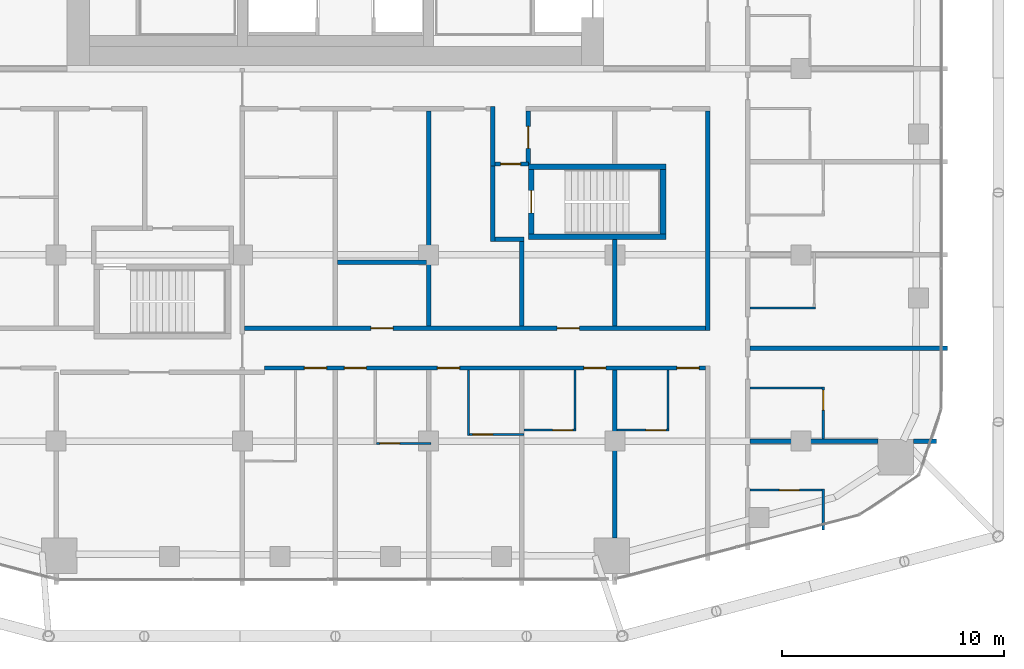
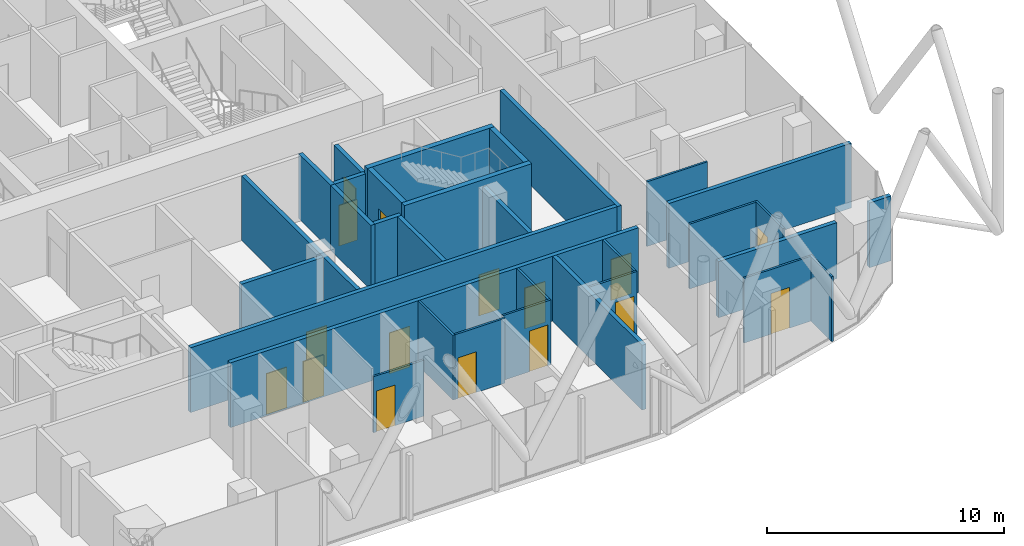
# One storey, part 26 of 33: 32 walls, 16 doors, 16 openings.
"""IFC4 building model written with IfcOpenShell, lengths in metres."""

from ifc_helpers import new_model, si_unit, direction, frame, frame_2d, origin, place, context, subcontext, project, spatial, rectangle, extrude, material, layer, layer_set, type_object, element, fill, save


model = new_model("IFC4")

# Units and contexts
model_context = context("Model", 3, precision=1e-05, world=origin(), true_north=direction((0.0, 1.0)))
body_context = subcontext(model_context, "Body", "Model", "MODEL_VIEW")
ifc_project = project(units=[si_unit("LENGTHUNIT", "METRE"), si_unit("AREAUNIT", "SQUARE_METRE"), si_unit("VOLUMEUNIT", "CUBIC_METRE"), si_unit("PLANEANGLEUNIT", "RADIAN"), si_unit("MASSUNIT", "GRAM", prefix="KILO")], contexts=[model_context])

# Site, building, storey
site_placement = place(None, origin())
site = spatial("IfcSite", under=ifc_project, at=site_placement, CompositionType="ELEMENT")
building_placement = place(site_placement, origin())
building = spatial("IfcBuilding", under=site, at=building_placement, Name="Marenta Gate Hotel Tower", CompositionType="ELEMENT")
storey_placement = place(building_placement, frame((0.0, 0.0, 137.300048828125)))
storey = spatial("IfcBuildingStorey", under=building, at=storey_placement, Name="L31", CompositionType="ELEMENT", Elevation=137.300048828125)

# Walls
ifc_material_1 = material(Name="Concrete C40", Category="concrete")
ifc_layer_1 = layer(ifc_material_1, 0.25)
ifc_layer_set_1 = layer_set([ifc_layer_1], Name="Concrete C40")
wall_type_1 = type_object("IfcWallType", Name="Remote stair enclosure wall 250 REI 180", PredefinedType="SHEAR", material=ifc_layer_set_1)
for number, where, z_axis, x_axis, name in (
    (1, (8.699951171875, -7.574951171875, 0.099853515625), (0.0, 0.0, 1.0), (1.0, 0.0, 0.0), "L31-RS-Z2-2-W1"),
    (2, (8.699951171875, -4.425048828125, 0.099853515625), (0.0, 0.0, 1.0), (1.0, 0.0, 0.0), "L31-RS-Z2-2-W2"),
):
    element("IfcWall", number, at=place(storey_placement, frame(where, z_axis=z_axis, x_axis=x_axis)), inside=storey, type_object=wall_type_1, Name=name, PredefinedType="SHEAR", context=body_context, shape_type="SweptSolid", body=[
        extrude(rectangle(XDim=6.199951171875, YDim=0.25, at=frame_2d((3.10009765625, 0.0))), origin(), (0.0, 0.0, 1.0), 3.60009765625),
    ])

# Wall, opening, door
wall_1_placement = place(storey_placement, frame((8.824951171875, -7.449951171875, 0.099853515625), z_axis=(0.0, 0.0, 1.0), x_axis=(0.0, 1.0, 0.0)))
wall_1 = element("IfcWall", 3, at=wall_1_placement, inside=storey, type_object=wall_type_1, Name="L31-RS-Z2-2-W3", PredefinedType="SHEAR", context=body_context, shape_type="SweptSolid", body=[
    extrude(rectangle(XDim=2.89990234375, YDim=0.25, at=frame_2d((1.449951171875, 0.0))), origin(), (0.0, 0.0, 1.0), 3.60009765625),
])
opening_1_placement = place(wall_1_placement, frame((0.949951171875, 0.0, 0.0)))
opening_1 = element("IfcOpeningElement", 4, at=opening_1_placement, cuts=wall_1, Name="Opening VD", PredefinedType="OPENING", context=body_context, shape_type="SweptSolid", body=[
    extrude(rectangle(XDim=1.0, YDim=2.10009765625, at=frame_2d((0.5, 1.050048828125))), frame((0.0, 0.125, 0.0), z_axis=(0.0, -1.0, 0.0), x_axis=(1.0, 0.0, 0.0)), (0.0, 0.0, 1.0), 0.25),
])
ifc_material_2 = material(Name="Steel", Category="steel")
door_type_1 = type_object("IfcDoorType", Name="Stair vestibule door 1000x2100 FD60", OperationType="SINGLE_SWING_LEFT", PredefinedType="DOOR", material=ifc_material_2)
door_1_placement = place(opening_1_placement, origin())
door_1 = element("IfcDoor", 5, at=door_1_placement, inside=storey, type_object=door_type_1, Name="VD", OperationType="SINGLE_SWING_LEFT", OverallHeight=2.10009765625, OverallWidth=1.0, PredefinedType="DOOR", context=body_context, shape_type="SweptSolid", body=[
    extrude(rectangle(XDim=1.0, YDim=2.10009765625, at=frame_2d((0.5, 1.050048828125))), frame((0.0, 0.02490234375, 0.0), z_axis=(0.0, -1.0, 0.0), x_axis=(1.0, 0.0, 0.0)), (0.0, 0.0, 1.0), 0.050048828125),
])
fill(opening_1, door_1)

# Wall
wall_2_placement = place(storey_placement, frame((14.77490234375, -7.449951171875, 0.099853515625), z_axis=(0.0, 0.0, 1.0), x_axis=(0.0, 1.0, 0.0)))
element("IfcWall", 6, at=wall_2_placement, inside=storey, type_object=wall_type_1, Name="L31-RS-Z2-2-W4", PredefinedType="SHEAR", context=body_context, shape_type="SweptSolid", body=[
    extrude(rectangle(XDim=2.89990234375, YDim=0.25, at=frame_2d((1.449951171875, 0.0))), origin(), (0.0, 0.0, 1.0), 3.60009765625),
])

# Wall, openings, doors
ifc_material_3 = material(Name="Concrete blockwork", Category="masonry")
ifc_layer_2 = layer(ifc_material_3, 0.199951171875)
ifc_layer_set_2 = layer_set([ifc_layer_2], Name="Concrete blockwork")
wall_type_2 = type_object("IfcWallType", Name="Room corridor wall 200 EI 120", PredefinedType="PARTITIONING", material=ifc_layer_set_2)
wall_3_placement = place(storey_placement, frame((-4.10009765625, -11.699951171875, 0.0), z_axis=(0.0, 0.0, 1.0), x_axis=(1.0, 0.0, 0.0)))
wall_3 = element("IfcWall", 7, at=wall_3_placement, inside=storey, type_object=wall_type_2, Name="L31-PTN-W038", PredefinedType="PARTITIONING", context=body_context, shape_type="SweptSolid", body=[
    extrude(rectangle(XDim=20.800048828125, YDim=0.199951171875, at=frame_2d((10.39990234375, 0.0))), origin(), (0.0, 0.0, 1.0), 3.33984375),
])
opening_2_placement = place(wall_3_placement, frame((14.10009765625, 0.0, 0.0)))
opening_2 = element("IfcOpeningElement", 8, at=opening_2_placement, cuts=wall_3, Name="Opening G12-70", PredefinedType="OPENING", context=body_context, shape_type="SweptSolid", body=[
    extrude(rectangle(XDim=1.0, YDim=2.10009765625, at=frame_2d((0.5, 1.050048828125))), frame((0.0, 0.10009765625, 0.0), z_axis=(0.0, -1.0, 0.0), x_axis=(1.0, 0.0, 0.0)), (0.0, 0.0, 1.0), 0.199951171875),
])
opening_3_placement = place(wall_3_placement, frame((5.699951171875, 0.0, 0.0)))
opening_3 = element("IfcOpeningElement", 9, at=opening_3_placement, cuts=wall_3, Name="Opening G12-72", PredefinedType="OPENING", context=body_context, shape_type="SweptSolid", body=[
    extrude(rectangle(XDim=1.0, YDim=2.10009765625, at=frame_2d((0.5, 1.050048828125))), frame((0.0, 0.10009765625, 0.0), z_axis=(0.0, -1.0, 0.0), x_axis=(1.0, 0.0, 0.0)), (0.0, 0.0, 1.0), 0.199951171875),
])
ifc_material_4 = material(Name="Timber door leaf", Category="wood")
door_type_2 = type_object("IfcDoorType", Name="Room amenity door 1000x2100 EI 60", OperationType="NOTDEFINED", PredefinedType="DOOR", material=ifc_material_4)
door_2_placement = place(opening_2_placement, origin())
door_2 = element("IfcDoor", 10, at=door_2_placement, inside=storey, type_object=door_type_2, Name="L31-PD-D070", OperationType="SINGLE_SWING_RIGHT", OverallHeight=2.10009765625, OverallWidth=1.0, PredefinedType="DOOR", context=body_context, shape_type="SweptSolid", body=[
    extrude(rectangle(XDim=1.0, YDim=2.10009765625, at=frame_2d((0.5, 1.050048828125))), frame((0.0, 0.02490234375, 0.0), z_axis=(0.0, -1.0, 0.0), x_axis=(1.0, 0.0, 0.0)), (0.0, 0.0, 1.0), 0.050048828125),
])
fill(opening_2, door_2)
door_3_placement = place(opening_3_placement, origin())
door_3 = element("IfcDoor", 11, at=door_3_placement, inside=storey, type_object=door_type_2, Name="L31-PD-D072", OperationType="SINGLE_SWING_RIGHT", OverallHeight=2.10009765625, OverallWidth=1.0, PredefinedType="DOOR", context=body_context, shape_type="SweptSolid", body=[
    extrude(rectangle(XDim=1.0, YDim=2.10009765625, at=frame_2d((0.5, 1.050048828125))), frame((0.0, 0.02490234375, 0.0), z_axis=(0.0, -1.0, 0.0), x_axis=(1.0, 0.0, 0.0)), (0.0, 0.0, 1.0), 0.050048828125),
])
fill(opening_3, door_3)

# Wall
ifc_material_5 = material(Name="Gypsum board on steel stud", Category="steel")
ifc_layer_3 = layer(ifc_material_5, 0.199951171875)
ifc_layer_set_3 = layer_set([ifc_layer_3], Name="Gypsum board on steel stud")
wall_type_3 = type_object("IfcWallType", Name="Room corridor wall 200 EI 60", PredefinedType="PARTITIONING", material=ifc_layer_set_3)
wall_4_placement = place(storey_placement, frame((16.800048828125, -11.800048828125, 0.0), z_axis=(0.0, 0.0, 1.0), x_axis=(0.0, 1.0, 0.0)))
element("IfcWall", 12, at=wall_4_placement, inside=storey, type_object=wall_type_3, Name="L31-PTN-W018", PredefinedType="PARTITIONING", context=body_context, shape_type="SweptSolid", body=[
    extrude(rectangle(XDim=9.900146484375, YDim=0.199951171875, at=frame_2d((4.9501953125, 0.0))), origin(), (0.0, 0.0, 1.0), 3.33984375),
])

# Wall, openings, doors
wall_5_placement = place(storey_placement, frame((-3.199951171875, -13.5, 0.0), z_axis=(0.0, 0.0, 1.0), x_axis=(1.0, 0.0, 0.0)))
wall_5 = element("IfcWall", 13, at=wall_5_placement, inside=storey, type_object=wall_type_3, Name="L31-PTN-W030", PredefinedType="PARTITIONING", context=body_context, shape_type="SweptSolid", body=[
    extrude(rectangle(XDim=19.89990234375, YDim=0.199951171875, at=frame_2d((9.949951171875, 0.0))), origin(), (0.0, 0.0, 1.0), 3.33984375),
])
opening_4_placement = place(wall_5_placement, frame((1.800048828125, 0.0, 0.0)))
opening_4 = element("IfcOpeningElement", 14, at=opening_4_placement, cuts=wall_5, Name="Opening G12-40", PredefinedType="OPENING", context=body_context, shape_type="SweptSolid", body=[
    extrude(rectangle(XDim=1.0, YDim=2.10009765625, at=frame_2d((0.5, 1.050048828125))), frame((0.0, 0.10009765625, 0.0), z_axis=(0.0, -1.0, 0.0), x_axis=(1.0, 0.0, 0.0)), (0.0, 0.0, 1.0), 0.199951171875),
])
opening_5_placement = place(wall_5_placement, frame((3.60009765625, 0.0, 0.0)))
opening_5 = element("IfcOpeningElement", 15, at=opening_5_placement, cuts=wall_5, Name="Opening G12-42", PredefinedType="OPENING", context=body_context, shape_type="SweptSolid", body=[
    extrude(rectangle(XDim=1.0, YDim=2.10009765625, at=frame_2d((0.5, 1.050048828125))), frame((0.0, 0.10009765625, 0.0), z_axis=(0.0, -1.0, 0.0), x_axis=(1.0, 0.0, 0.0)), (0.0, 0.0, 1.0), 0.199951171875),
])
opening_6_placement = place(wall_5_placement, frame((7.800048828125, 0.0, 0.0)))
opening_6 = element("IfcOpeningElement", 16, at=opening_6_placement, cuts=wall_5, Name="Opening G12-44", PredefinedType="OPENING", context=body_context, shape_type="SweptSolid", body=[
    extrude(rectangle(XDim=1.0, YDim=2.10009765625, at=frame_2d((0.5, 1.050048828125))), frame((0.0, 0.10009765625, 0.0), z_axis=(0.0, -1.0, 0.0), x_axis=(1.0, 0.0, 0.0)), (0.0, 0.0, 1.0), 0.199951171875),
])
opening_7_placement = place(wall_5_placement, frame((14.39990234375, 0.0, 0.0)))
opening_7 = element("IfcOpeningElement", 17, at=opening_7_placement, cuts=wall_5, Name="Opening G12-46", PredefinedType="OPENING", context=body_context, shape_type="SweptSolid", body=[
    extrude(rectangle(XDim=1.0, YDim=2.10009765625, at=frame_2d((0.5, 1.050048828125))), frame((0.0, 0.10009765625, 0.0), z_axis=(0.0, -1.0, 0.0), x_axis=(1.0, 0.0, 0.0)), (0.0, 0.0, 1.0), 0.199951171875),
])
opening_8_placement = place(wall_5_placement, frame((18.60009765625, 0.0, 0.0)))
opening_8 = element("IfcOpeningElement", 18, at=opening_8_placement, cuts=wall_5, Name="Opening G12-48", PredefinedType="OPENING", context=body_context, shape_type="SweptSolid", body=[
    extrude(rectangle(XDim=1.0, YDim=2.10009765625, at=frame_2d((0.5, 1.050048828125))), frame((0.0, 0.10009765625, 0.0), z_axis=(0.0, -1.0, 0.0), x_axis=(1.0, 0.0, 0.0)), (0.0, 0.0, 1.0), 0.199951171875),
])
ifc_material_6 = material(Name="Timber door leaf", Category="wood")
door_type_3 = type_object("IfcDoorType", Name="Guest room door 1000x2100 EI 30", OperationType="NOTDEFINED", PredefinedType="DOOR", material=ifc_material_6)
door_4_placement = place(opening_4_placement, origin())
door_4 = element("IfcDoor", 19, at=door_4_placement, inside=storey, type_object=door_type_3, Name="L31-PD-D040", OperationType="SINGLE_SWING_RIGHT", OverallHeight=2.10009765625, OverallWidth=1.0, PredefinedType="DOOR", context=body_context, shape_type="SweptSolid", body=[
    extrude(rectangle(XDim=1.0, YDim=2.10009765625, at=frame_2d((0.5, 1.050048828125))), frame((0.0, 0.02490234375, 0.0), z_axis=(0.0, -1.0, 0.0), x_axis=(1.0, 0.0, 0.0)), (0.0, 0.0, 1.0), 0.050048828125),
])
fill(opening_4, door_4)
door_5_placement = place(opening_5_placement, origin())
door_5 = element("IfcDoor", 20, at=door_5_placement, inside=storey, type_object=door_type_3, Name="L31-PD-D042", OperationType="SINGLE_SWING_RIGHT", OverallHeight=2.10009765625, OverallWidth=1.0, PredefinedType="DOOR", context=body_context, shape_type="SweptSolid", body=[
    extrude(rectangle(XDim=1.0, YDim=2.10009765625, at=frame_2d((0.5, 1.050048828125))), frame((0.0, 0.02490234375, 0.0), z_axis=(0.0, -1.0, 0.0), x_axis=(1.0, 0.0, 0.0)), (0.0, 0.0, 1.0), 0.050048828125),
])
fill(opening_5, door_5)
door_6_placement = place(opening_6_placement, origin())
door_6 = element("IfcDoor", 21, at=door_6_placement, inside=storey, type_object=door_type_3, Name="L31-PD-D044", OperationType="SINGLE_SWING_RIGHT", OverallHeight=2.10009765625, OverallWidth=1.0, PredefinedType="DOOR", context=body_context, shape_type="SweptSolid", body=[
    extrude(rectangle(XDim=1.0, YDim=2.10009765625, at=frame_2d((0.5, 1.050048828125))), frame((0.0, 0.02490234375, 0.0), z_axis=(0.0, -1.0, 0.0), x_axis=(1.0, 0.0, 0.0)), (0.0, 0.0, 1.0), 0.050048828125),
])
fill(opening_6, door_6)
door_7_placement = place(opening_7_placement, origin())
door_7 = element("IfcDoor", 22, at=door_7_placement, inside=storey, type_object=door_type_3, Name="L31-PD-D046", OperationType="SINGLE_SWING_RIGHT", OverallHeight=2.10009765625, OverallWidth=1.0, PredefinedType="DOOR", context=body_context, shape_type="SweptSolid", body=[
    extrude(rectangle(XDim=1.0, YDim=2.10009765625, at=frame_2d((0.5, 1.050048828125))), frame((0.0, 0.02490234375, 0.0), z_axis=(0.0, -1.0, 0.0), x_axis=(1.0, 0.0, 0.0)), (0.0, 0.0, 1.0), 0.050048828125),
])
fill(opening_7, door_7)
door_8_placement = place(opening_8_placement, origin())
door_8 = element("IfcDoor", 23, at=door_8_placement, inside=storey, type_object=door_type_3, Name="L31-PD-D048", OperationType="SINGLE_SWING_LEFT", OverallHeight=2.10009765625, OverallWidth=1.0, PredefinedType="DOOR", context=body_context, shape_type="SweptSolid", body=[
    extrude(rectangle(XDim=1.0, YDim=2.10009765625, at=frame_2d((0.5, 1.050048828125))), frame((0.0, 0.02490234375, 0.0), z_axis=(0.0, -1.0, 0.0), x_axis=(1.0, 0.0, 0.0)), (0.0, 0.0, 1.0), 0.050048828125),
])
fill(opening_8, door_8)

# Wall, opening, door
wall_6_placement = place(storey_placement, frame((8.699951171875, -4.300048828125, 0.0), z_axis=(0.0, 0.0, 1.0), x_axis=(0.0, 1.0, 0.0)))
wall_6 = element("IfcWall", 24, at=wall_6_placement, inside=storey, type_object=wall_type_3, Name="L31-PTN-W044", PredefinedType="PARTITIONING", context=body_context, shape_type="SweptSolid", body=[
    extrude(rectangle(XDim=2.400146484375, YDim=0.199951171875, at=frame_2d((1.2001953125, 0.0))), origin(), (0.0, 0.0, 1.0), 3.33984375),
])
opening_9_placement = place(wall_6_placement, frame((0.699951171875, 0.0, 0.0)))
opening_9 = element("IfcOpeningElement", 25, at=opening_9_placement, cuts=wall_6, Name="Opening G12-71", PredefinedType="OPENING", context=body_context, shape_type="SweptSolid", body=[
    extrude(rectangle(XDim=1.0, YDim=2.10009765625, at=frame_2d((0.5, 1.050048828125))), frame((0.0, 0.10009765625, 0.0), z_axis=(0.0, -1.0, 0.0), x_axis=(1.0, 0.0, 0.0)), (0.0, 0.0, 1.0), 0.199951171875),
])
ifc_material_7 = material(Name="Timber door leaf", Category="wood")
door_type_4 = type_object("IfcDoorType", Name="Room amenity door 1000x2100 EI 30", OperationType="NOTDEFINED", PredefinedType="DOOR", material=ifc_material_7)
door_9_placement = place(opening_9_placement, origin())
door_9 = element("IfcDoor", 26, at=door_9_placement, inside=storey, type_object=door_type_4, Name="L31-PD-D071", OperationType="SINGLE_SWING_LEFT", OverallHeight=2.10009765625, OverallWidth=1.0, PredefinedType="DOOR", context=body_context, shape_type="SweptSolid", body=[
    extrude(rectangle(XDim=1.0, YDim=2.10009765625, at=frame_2d((0.5, 1.050048828125))), frame((0.0, 0.02490234375, 0.0), z_axis=(0.0, -1.0, 0.0), x_axis=(1.0, 0.0, 0.0)), (0.0, 0.0, 1.0), 0.050048828125),
])
fill(opening_9, door_9)

# Wall
wall_7_placement = place(storey_placement, frame((7.10009765625, -4.39990234375, 0.0), z_axis=(0.0, 0.0, 1.0), x_axis=(0.0, 1.0, 0.0)))
element("IfcWall", 27, at=wall_7_placement, inside=storey, type_object=wall_type_3, Name="L31-PTN-W053", PredefinedType="PARTITIONING", context=body_context, shape_type="SweptSolid", body=[
    extrude(rectangle(XDim=2.699951171875, YDim=0.199951171875, at=frame_2d((1.35009765625, 0.0))), origin(), (0.0, 0.0, 1.0), 3.33984375),
])

# Wall, opening, door
ifc_material_8 = material(Name="Concrete blockwork", Category="masonry")
ifc_layer_4 = layer(ifc_material_8, 0.199951171875)
ifc_layer_set_4 = layer_set([ifc_layer_4], Name="Concrete blockwork")
wall_type_4 = type_object("IfcWallType", Name="Room corridor wall 200 REI 180", PredefinedType="PARTITIONING", material=ifc_layer_set_4)
wall_8_placement = place(storey_placement, frame((7.199951171875, -4.300048828125, 0.0), z_axis=(0.0, 0.0, 1.0), x_axis=(1.0, 0.0, 0.0)))
wall_8 = element("IfcWall", 28, at=wall_8_placement, inside=storey, type_object=wall_type_4, Name="L31-PTN-W059", PredefinedType="PARTITIONING", context=body_context, shape_type="SweptSolid", body=[
    extrude(rectangle(XDim=1.5, YDim=0.199951171875, at=frame_2d((0.75, 0.0))), origin(), (0.0, 0.0, 1.0), 3.33984375),
])
opening_10_placement = place(wall_8_placement, frame((0.25, 0.0, 0.0)))
opening_10 = element("IfcOpeningElement", 29, at=opening_10_placement, cuts=wall_8, Name="Opening G12-67", PredefinedType="OPENING", context=body_context, shape_type="SweptSolid", body=[
    extrude(rectangle(XDim=0.89990234375, YDim=2.10009765625, at=frame_2d((0.449951171875, 1.050048828125))), frame((0.0, 0.10009765625, 0.0), z_axis=(0.0, -1.0, 0.0), x_axis=(1.0, 0.0, 0.0)), (0.0, 0.0, 1.0), 0.199951171875),
])
ifc_material_9 = material(Name="Hollow steel door set", Category="steel")
door_type_5 = type_object("IfcDoorType", Name="Stair vestibule door 900x2100 EI 60", OperationType="NOTDEFINED", PredefinedType="DOOR", material=ifc_material_9)
door_10_placement = place(opening_10_placement, origin())
door_10 = element("IfcDoor", 30, at=door_10_placement, inside=storey, type_object=door_type_5, Name="L31-PD-D067", OperationType="SINGLE_SWING_LEFT", OverallHeight=2.10009765625, OverallWidth=0.89990234375, PredefinedType="DOOR", context=body_context, shape_type="SweptSolid", body=[
    extrude(rectangle(XDim=0.89990234375, YDim=2.10009765625, at=frame_2d((0.449951171875, 1.050048828125))), frame((0.0, 0.02490234375, 0.0), z_axis=(0.0, -1.0, 0.0), x_axis=(1.0, 0.0, 0.0)), (0.0, 0.0, 1.0), 0.050048828125),
])
fill(opening_10, door_10)

# Wall
ifc_material_10 = material(Name="Gypsum board on steel stud", Category="steel")
ifc_layer_5 = layer(ifc_material_10, 0.10009765625)
ifc_layer_set_5 = layer_set([ifc_layer_5], Name="Gypsum board on steel stud")
wall_type_5 = type_object("IfcWallType", Name="Room partition 100", PredefinedType="PARTITIONING", material=ifc_layer_set_5)
wall_9_placement = place(storey_placement, frame((22.0, -20.805908203125, 0.0), z_axis=(0.0, 0.0, 1.0), x_axis=(0.0, 1.0, 0.0)))
element("IfcWall", 31, at=wall_9_placement, inside=storey, type_object=wall_type_5, Name="L31-PTN-W003", PredefinedType="PARTITIONING", context=body_context, shape_type="SweptSolid", body=[
    extrude(rectangle(XDim=1.847900390625, YDim=0.10009765625, at=frame_2d((0.923828125, 0.0))), origin(), (0.0, 0.0, 1.0), 3.33984375),
])

# Wall, opening, door
wall_10_placement = place(storey_placement, frame((22.0, -16.699951171875, 0.0), z_axis=(0.0, 0.0, 1.0), x_axis=(0.0, 1.0, 0.0)))
wall_10 = element("IfcWall", 32, at=wall_10_placement, inside=storey, type_object=wall_type_5, Name="L31-PTN-W004", PredefinedType="PARTITIONING", context=body_context, shape_type="SweptSolid", body=[
    extrude(rectangle(XDim=2.349853515625, YDim=0.10009765625, at=frame_2d((1.1748046875, 0.0))), origin(), (0.0, 0.0, 1.0), 3.33984375),
])
opening_11_placement = place(wall_10_placement, frame((1.300048828125, 0.0, 0.0)))
opening_11 = element("IfcOpeningElement", 33, at=opening_11_placement, cuts=wall_10, Name="Opening G12-11", PredefinedType="OPENING", context=body_context, shape_type="SweptSolid", body=[
    extrude(rectangle(XDim=0.89990234375, YDim=2.10009765625, at=frame_2d((0.449951171875, 1.050048828125))), frame((0.0, 0.050048828125, 0.0), z_axis=(0.0, -1.0, 0.0), x_axis=(1.0, 0.0, 0.0)), (0.0, 0.0, 1.0), 0.10009765625),
])
ifc_material_11 = material(Name="Timber door leaf", Category="wood")
door_type_6 = type_object("IfcDoorType", Name="Guest bathroom door 900x2100", OperationType="NOTDEFINED", PredefinedType="DOOR", material=ifc_material_11)
door_11_placement = place(opening_11_placement, origin())
door_11 = element("IfcDoor", 34, at=door_11_placement, inside=storey, type_object=door_type_6, Name="L31-PD-D011", OperationType="SINGLE_SWING_RIGHT", OverallHeight=2.10009765625, OverallWidth=0.89990234375, PredefinedType="DOOR", context=body_context, shape_type="SweptSolid", body=[
    extrude(rectangle(XDim=0.89990234375, YDim=2.10009765625, at=frame_2d((0.449951171875, 1.050048828125))), frame((0.0, 0.02490234375, 0.0), z_axis=(0.0, -1.0, 0.0), x_axis=(1.0, 0.0, 0.0)), (0.0, 0.0, 1.0), 0.050048828125),
])
fill(opening_11, door_11)

wall_11_placement = place(storey_placement, frame((18.699951171875, -19.008056640625, 0.0), z_axis=(0.0, 0.0, 1.0), x_axis=(1.0, 0.0, 0.0)))
wall_11 = element("IfcWall", 35, at=wall_11_placement, inside=storey, type_object=wall_type_5, Name="L31-PTN-W012", PredefinedType="PARTITIONING", context=body_context, shape_type="SweptSolid", body=[
    extrude(rectangle(XDim=3.25, YDim=0.10009765625, at=frame_2d((1.625, 0.0))), origin(), (0.0, 0.0, 1.0), 3.33984375),
])
opening_12_placement = place(wall_11_placement, frame((1.320068359375, 0.0, 0.0)))
opening_12 = element("IfcOpeningElement", 36, at=opening_12_placement, cuts=wall_11, Name="Opening G12-09", PredefinedType="OPENING", context=body_context, shape_type="SweptSolid", body=[
    extrude(rectangle(XDim=0.89990234375, YDim=2.10009765625, at=frame_2d((0.449951171875, 1.050048828125))), frame((0.0, 0.050048828125, 0.0), z_axis=(0.0, -1.0, 0.0), x_axis=(1.0, 0.0, 0.0)), (0.0, 0.0, 1.0), 0.10009765625),
])
door_12_placement = place(opening_12_placement, origin())
door_12 = element("IfcDoor", 37, at=door_12_placement, inside=storey, type_object=door_type_6, Name="L31-PD-D009", OperationType="SINGLE_SWING_RIGHT", OverallHeight=2.10009765625, OverallWidth=0.89990234375, PredefinedType="DOOR", context=body_context, shape_type="SweptSolid", body=[
    extrude(rectangle(XDim=0.89990234375, YDim=2.10009765625, at=frame_2d((0.449951171875, 1.050048828125))), frame((0.0, 0.02490234375, 0.0), z_axis=(0.0, -1.0, 0.0), x_axis=(1.0, 0.0, 0.0)), (0.0, 0.0, 1.0), 0.050048828125),
])
fill(opening_12, door_12)

wall_12_placement = place(storey_placement, frame((1.85009765625, -16.89990234375, 0.0), z_axis=(0.0, 0.0, 1.0), x_axis=(1.0, 0.0, 0.0)))
wall_12 = element("IfcWall", 38, at=wall_12_placement, inside=storey, type_object=wall_type_5, Name="L31-PTN-W016", PredefinedType="PARTITIONING", context=body_context, shape_type="SweptSolid", body=[
    extrude(rectangle(XDim=2.449951171875, YDim=0.10009765625, at=frame_2d((1.22509765625, 0.0))), origin(), (0.0, 0.0, 1.0), 2.889892578125),
])
opening_13_placement = place(wall_12_placement, frame((0.14990234375, 0.0, 0.0)))
opening_13 = element("IfcOpeningElement", 39, at=opening_13_placement, cuts=wall_12, Name="Opening G12-43", PredefinedType="OPENING", context=body_context, shape_type="SweptSolid", body=[
    extrude(rectangle(XDim=0.89990234375, YDim=2.10009765625, at=frame_2d((0.449951171875, 1.050048828125))), frame((0.0, 0.050048828125, 0.0), z_axis=(0.0, -1.0, 0.0), x_axis=(1.0, 0.0, 0.0)), (0.0, 0.0, 1.0), 0.10009765625),
])
door_13_placement = place(opening_13_placement, origin())
door_13 = element("IfcDoor", 40, at=door_13_placement, inside=storey, type_object=door_type_6, Name="L31-PD-D043", OperationType="SINGLE_SWING_LEFT", OverallHeight=2.10009765625, OverallWidth=0.89990234375, PredefinedType="DOOR", context=body_context, shape_type="SweptSolid", body=[
    extrude(rectangle(XDim=0.89990234375, YDim=2.10009765625, at=frame_2d((0.449951171875, 1.050048828125))), frame((0.0, 0.02490234375, 0.0), z_axis=(0.0, -1.0, 0.0), x_axis=(1.0, 0.0, 0.0)), (0.0, 0.0, 1.0), 0.050048828125),
])
fill(opening_13, door_13)

wall_13_placement = place(storey_placement, frame((6.050048828125, -16.5, 0.0), z_axis=(0.0, 0.0, 1.0), x_axis=(1.0, 0.0, 0.0)))
wall_13 = element("IfcWall", 41, at=wall_13_placement, inside=storey, type_object=wall_type_5, Name="L31-PTN-W022", PredefinedType="PARTITIONING", context=body_context, shape_type="SweptSolid", body=[
    extrude(rectangle(XDim=2.449951171875, YDim=0.10009765625, at=frame_2d((1.22509765625, 0.0))), origin(), (0.0, 0.0, 1.0), 3.33984375),
])
opening_14_placement = place(wall_13_placement, frame((0.14990234375, 0.0, 0.0)))
opening_14 = element("IfcOpeningElement", 42, at=opening_14_placement, cuts=wall_13, Name="Opening G12-45", PredefinedType="OPENING", context=body_context, shape_type="SweptSolid", body=[
    extrude(rectangle(XDim=0.89990234375, YDim=2.10009765625, at=frame_2d((0.449951171875, 1.050048828125))), frame((0.0, 0.050048828125, 0.0), z_axis=(0.0, -1.0, 0.0), x_axis=(1.0, 0.0, 0.0)), (0.0, 0.0, 1.0), 0.10009765625),
])
door_14_placement = place(opening_14_placement, origin())
door_14 = element("IfcDoor", 43, at=door_14_placement, inside=storey, type_object=door_type_6, Name="L31-PD-D045", OperationType="SINGLE_SWING_LEFT", OverallHeight=2.10009765625, OverallWidth=0.89990234375, PredefinedType="DOOR", context=body_context, shape_type="SweptSolid", body=[
    extrude(rectangle(XDim=0.89990234375, YDim=2.10009765625, at=frame_2d((0.449951171875, 1.050048828125))), frame((0.0, 0.02490234375, 0.0), z_axis=(0.0, -1.0, 0.0), x_axis=(1.0, 0.0, 0.0)), (0.0, 0.0, 1.0), 0.050048828125),
])
fill(opening_14, door_14)

wall_14_placement = place(storey_placement, frame((8.5, -16.300048828125, 0.0), z_axis=(0.0, 0.0, 1.0), x_axis=(1.0, 0.0, 0.0)))
wall_14 = element("IfcWall", 44, at=wall_14_placement, inside=storey, type_object=wall_type_5, Name="L31-PTN-W023", PredefinedType="PARTITIONING", context=body_context, shape_type="SweptSolid", body=[
    extrude(rectangle(XDim=2.35009765625, YDim=0.10009765625, at=frame_2d((1.175048828125, 0.0))), origin(), (0.0, 0.0, 1.0), 3.33984375),
])
opening_15_placement = place(wall_14_placement, frame((1.300048828125, 0.0, 0.0)))
opening_15 = element("IfcOpeningElement", 45, at=opening_15_placement, cuts=wall_14, Name="Opening G12-47", PredefinedType="OPENING", context=body_context, shape_type="SweptSolid", body=[
    extrude(rectangle(XDim=0.89990234375, YDim=2.10009765625, at=frame_2d((0.449951171875, 1.050048828125))), frame((0.0, 0.050048828125, 0.0), z_axis=(0.0, -1.0, 0.0), x_axis=(1.0, 0.0, 0.0)), (0.0, 0.0, 1.0), 0.10009765625),
])
door_15_placement = place(opening_15_placement, origin())
door_15 = element("IfcDoor", 46, at=door_15_placement, inside=storey, type_object=door_type_6, Name="L31-PD-D047", OperationType="SINGLE_SWING_RIGHT", OverallHeight=2.10009765625, OverallWidth=0.89990234375, PredefinedType="DOOR", context=body_context, shape_type="SweptSolid", body=[
    extrude(rectangle(XDim=0.89990234375, YDim=2.10009765625, at=frame_2d((0.449951171875, 1.050048828125))), frame((0.0, 0.02490234375, 0.0), z_axis=(0.0, -1.0, 0.0), x_axis=(1.0, 0.0, 0.0)), (0.0, 0.0, 1.0), 0.050048828125),
])
fill(opening_15, door_15)

wall_15_placement = place(storey_placement, frame((12.699951171875, -16.300048828125, 0.0), z_axis=(0.0, 0.0, 1.0), x_axis=(1.0, 0.0, 0.0)))
wall_15 = element("IfcWall", 47, at=wall_15_placement, inside=storey, type_object=wall_type_5, Name="L31-PTN-W024", PredefinedType="PARTITIONING", context=body_context, shape_type="SweptSolid", body=[
    extrude(rectangle(XDim=2.35009765625, YDim=0.10009765625, at=frame_2d((1.175048828125, 0.0))), origin(), (0.0, 0.0, 1.0), 3.33984375),
])
opening_16_placement = place(wall_15_placement, frame((1.300048828125, 0.0, 0.0)))
opening_16 = element("IfcOpeningElement", 48, at=opening_16_placement, cuts=wall_15, Name="Opening G12-49", PredefinedType="OPENING", context=body_context, shape_type="SweptSolid", body=[
    extrude(rectangle(XDim=0.89990234375, YDim=2.10009765625, at=frame_2d((0.449951171875, 1.050048828125))), frame((0.0, 0.050048828125, 0.0), z_axis=(0.0, -1.0, 0.0), x_axis=(1.0, 0.0, 0.0)), (0.0, 0.0, 1.0), 0.10009765625),
])
door_16_placement = place(opening_16_placement, origin())
door_16 = element("IfcDoor", 49, at=door_16_placement, inside=storey, type_object=door_type_6, Name="L31-PD-D049", OperationType="SINGLE_SWING_RIGHT", OverallHeight=2.10009765625, OverallWidth=0.89990234375, PredefinedType="DOOR", context=body_context, shape_type="SweptSolid", body=[
    extrude(rectangle(XDim=0.89990234375, YDim=2.10009765625, at=frame_2d((0.449951171875, 1.050048828125))), frame((0.0, 0.02490234375, 0.0), z_axis=(0.0, -1.0, 0.0), x_axis=(1.0, 0.0, 0.0)), (0.0, 0.0, 1.0), 0.050048828125),
])
fill(opening_16, door_16)

# Walls
wall_16_placement = place(storey_placement, frame((15.0, -16.25, 0.0), z_axis=(0.0, 0.0, 1.0), x_axis=(0.0, 1.0, 0.0)))
element("IfcWall", 50, at=wall_16_placement, inside=storey, type_object=wall_type_5, Name="L31-PTN-W025", PredefinedType="PARTITIONING", context=body_context, shape_type="SweptSolid", body=[
    extrude(rectangle(XDim=2.64990234375, YDim=0.10009765625, at=frame_2d((1.324951171875, 0.0))), origin(), (0.0, 0.0, 1.0), 3.33984375),
])
wall_17_placement = place(storey_placement, frame((18.699951171875, -14.39990234375, 0.0), z_axis=(0.0, 0.0, 1.0), x_axis=(1.0, 0.0, 0.0)))
element("IfcWall", 51, at=wall_17_placement, inside=storey, type_object=wall_type_5, Name="L31-PTN-W027", PredefinedType="PARTITIONING", context=body_context, shape_type="SweptSolid", body=[
    extrude(rectangle(XDim=3.25, YDim=0.10009765625, at=frame_2d((1.625, 0.0))), origin(), (0.0, 0.0, 1.0), 3.33984375),
])
wall_18_placement = place(storey_placement, frame((10.800048828125, -16.25, 0.0), z_axis=(0.0, 0.0, 1.0), x_axis=(0.0, 1.0, 0.0)))
element("IfcWall", 52, at=wall_18_placement, inside=storey, type_object=wall_type_5, Name="L31-PTN-W039", PredefinedType="PARTITIONING", context=body_context, shape_type="SweptSolid", body=[
    extrude(rectangle(XDim=2.64990234375, YDim=0.10009765625, at=frame_2d((1.324951171875, 0.0))), origin(), (0.0, 0.0, 1.0), 3.33984375),
])
for number, where, z_axis, x_axis, name in (
    (53, (18.699951171875, -10.800048828125, 0.0), (0.0, 0.0, 1.0), (1.0, 0.0, 0.0), "L31-PTN-W041"),
    (54, (6.0, -16.550048828125, 0.0), (0.0, 0.0, 1.0), (0.0, 1.0, 0.0), "L31-PTN-W056"),
):
    element("IfcWall", number, at=place(storey_placement, frame(where, z_axis=z_axis, x_axis=x_axis)), inside=storey, type_object=wall_type_5, Name=name, PredefinedType="PARTITIONING", context=body_context, shape_type="SweptSolid", body=[
        extrude(rectangle(XDim=2.949951171875, YDim=0.10009765625, at=frame_2d((1.47509765625, 0.0))), origin(), (0.0, 0.0, 1.0), 3.33984375),
    ])
ifc_material_12 = material(Name="Gypsum board on steel stud", Category="steel")
ifc_layer_6 = layer(ifc_material_12, 0.199951171875)
ifc_layer_set_6 = layer_set([ifc_layer_6], Name="Gypsum board on steel stud")
wall_type_6 = type_object("IfcWallType", Name="Room party wall 200 EI 60", PredefinedType="PARTITIONING", material=ifc_layer_set_6)
wall_19_placement = place(storey_placement, frame((18.699951171875, -16.800048828125, 0.0), z_axis=(0.0, 0.0, 1.0), x_axis=(1.0, 0.0, 0.0)))
element("IfcWall", 55, at=wall_19_placement, inside=storey, type_object=wall_type_6, Name="L31-PTN-W021", PredefinedType="PARTITIONING", context=body_context, shape_type="SweptSolid", body=[
    extrude(rectangle(XDim=5.762939453125, YDim=0.199951171875, at=frame_2d((2.88134765625, 0.0))), origin(), (0.0, 0.0, 1.0), 2.889892578125),
])
wall_20_placement = place(storey_placement, frame((26.06298828125, -16.800048828125, 0.0), z_axis=(0.0, 0.0, 1.0), x_axis=(1.0, 0.0, 0.0)))
element("IfcWall", 56, at=wall_20_placement, inside=storey, type_object=wall_type_6, Name="L31-PTN-W132", PredefinedType="PARTITIONING", context=body_context, shape_type="SweptSolid", body=[
    extrude(rectangle(XDim=1.049072265625, YDim=0.199951171875, at=frame_2d((0.5244140625, 0.0))), origin(), (0.0, 0.0, 1.0), 3.33984375),
])
wall_21_placement = place(storey_placement, frame((12.60009765625, -21.175048828125, 0.0), z_axis=(0.0, 0.0, 1.0), x_axis=(0.0, 1.0, 0.0)))
element("IfcWall", 57, at=wall_21_placement, inside=storey, type_object=wall_type_6, Name="L31-PTN-W133", PredefinedType="PARTITIONING", context=body_context, shape_type="SweptSolid", body=[
    extrude(rectangle(XDim=7.574951171875, YDim=0.199951171875, at=frame_2d((3.78759765625, 0.0))), origin(), (0.0, 0.0, 1.0), 3.33984375),
])
wall_22_placement = place(storey_placement, frame((12.60009765625, -11.60009765625, 0.0), z_axis=(0.0, 0.0, 1.0), x_axis=(0.0, 1.0, 0.0)))
element("IfcWall", 58, at=wall_22_placement, inside=storey, type_object=wall_type_6, Name="L31-PTN-W033", PredefinedType="PARTITIONING", context=body_context, shape_type="SweptSolid", body=[
    extrude(rectangle(XDim=3.900146484375, YDim=0.199951171875, at=frame_2d((1.9501953125, 0.0))), origin(), (0.0, 0.0, 1.0), 3.33984375),
])
wall_23_placement = place(storey_placement, frame((18.699951171875, -12.60009765625, 0.0), z_axis=(0.0, 0.0, 1.0), x_axis=(1.0, 0.0, 0.0)))
element("IfcWall", 59, at=wall_23_placement, inside=storey, type_object=wall_type_6, Name="L31-PTN-W036", PredefinedType="PARTITIONING", context=body_context, shape_type="SweptSolid", body=[
    extrude(rectangle(XDim=8.900146484375, YDim=0.199951171875, at=frame_2d((4.4501953125, 0.0))), origin(), (0.0, 0.0, 1.0), 3.33984375),
])
wall_24_placement = place(storey_placement, frame((0.10009765625, -8.72998046875, 0.0), z_axis=(0.0, 0.0, 1.0), x_axis=(1.0, 0.0, 0.0)))
element("IfcWall", 60, at=wall_24_placement, inside=storey, type_object=wall_type_6, Name="L31-PTN-W043", PredefinedType="PARTITIONING", context=body_context, shape_type="SweptSolid", body=[
    extrude(rectangle(XDim=4.0, YDim=0.199951171875, at=frame_2d((2.0, 0.0))), origin(), (0.0, 0.0, 1.0), 3.33984375),
])
wall_25_placement = place(storey_placement, frame((8.39990234375, -11.60009765625, 0.0), z_axis=(0.0, 0.0, 1.0), x_axis=(0.0, 1.0, 0.0)))
element("IfcWall", 61, at=wall_25_placement, inside=storey, type_object=wall_type_6, Name="L31-PTN-W046", PredefinedType="PARTITIONING", context=body_context, shape_type="SweptSolid", body=[
    extrude(rectangle(XDim=3.800048828125, YDim=0.199951171875, at=frame_2d((1.89990234375, 0.0))), origin(), (0.0, 0.0, 1.0), 3.33984375),
])
wall_26_placement = place(storey_placement, frame((4.199951171875, -11.60009765625, 0.0), z_axis=(0.0, 0.0, 1.0), x_axis=(0.0, 1.0, 0.0)))
element("IfcWall", 62, at=wall_26_placement, inside=storey, type_object=wall_type_6, Name="L31-PTN-W061", PredefinedType="PARTITIONING", context=body_context, shape_type="SweptSolid", body=[
    extrude(rectangle(XDim=9.7001953125, YDim=0.199951171875, at=frame_2d((4.85009765625, 0.0))), origin(), (0.0, 0.0, 1.0), 3.33984375),
])
ifc_material_13 = material(Name="Concrete blockwork", Category="masonry")
ifc_layer_7 = layer(ifc_material_13, 0.199951171875)
ifc_layer_set_7 = layer_set([ifc_layer_7], Name="Concrete blockwork")
wall_type_7 = type_object("IfcWallType", Name="Room party wall 200 REI 180", PredefinedType="PARTITIONING", material=ifc_layer_set_7)
wall_27_placement = place(storey_placement, frame((7.199951171875, -7.699951171875, 0.0), z_axis=(0.0, 0.0, 1.0), x_axis=(1.0, 0.0, 0.0)))
element("IfcWall", 63, at=wall_27_placement, inside=storey, type_object=wall_type_7, Name="L31-PTN-W049", PredefinedType="PARTITIONING", context=body_context, shape_type="SweptSolid", body=[
    extrude(rectangle(XDim=1.300048828125, YDim=0.199951171875, at=frame_2d((0.64990234375, 0.0))), origin(), (0.0, 0.0, 1.0), 3.33984375),
])
wall_28_placement = place(storey_placement, frame((7.10009765625, -7.800048828125, 0.0), z_axis=(0.0, 0.0, 1.0), x_axis=(0.0, 1.0, 0.0)))
element("IfcWall", 64, at=wall_28_placement, inside=storey, type_object=wall_type_7, Name="L31-PTN-W052", PredefinedType="PARTITIONING", context=body_context, shape_type="SweptSolid", body=[
    extrude(rectangle(XDim=3.400146484375, YDim=0.199951171875, at=frame_2d((1.7001953125, 0.0))), origin(), (0.0, 0.0, 1.0), 3.33984375),
])

save(model, "model.ifc")
